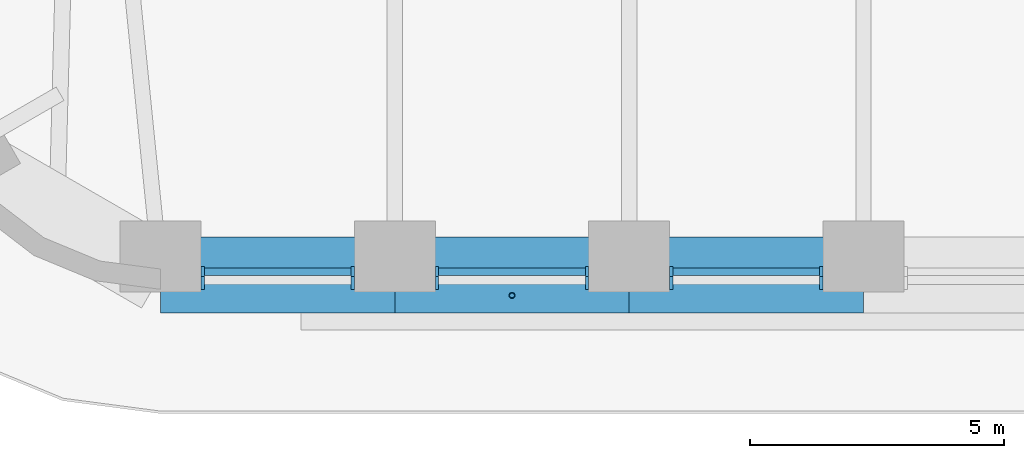
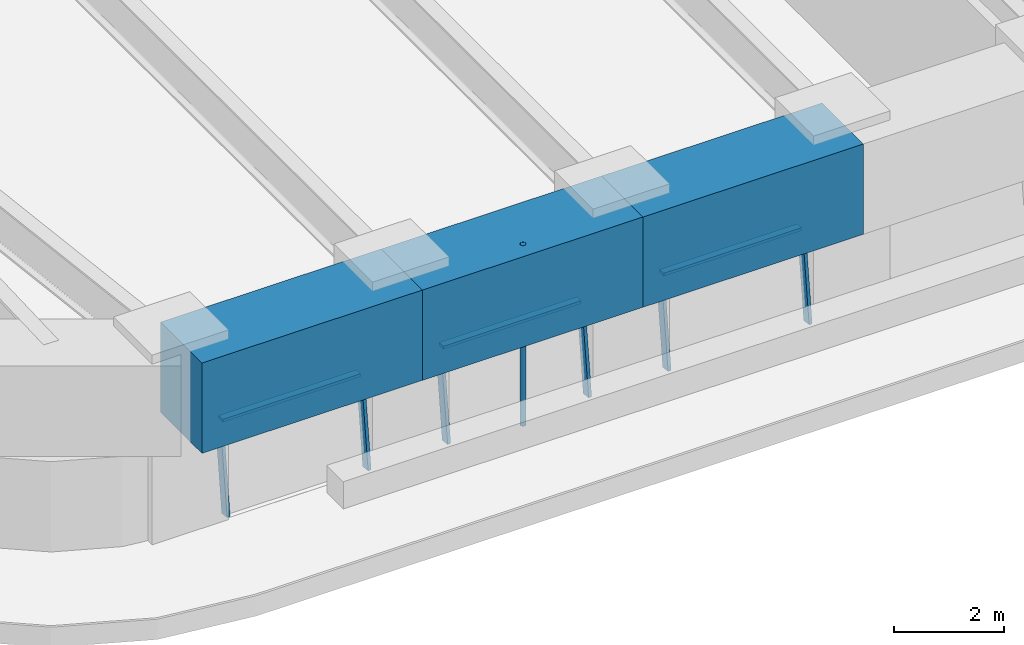
# One storey, part 2 of 20: 10 members, 3 beams, 3 elements without a shape of their own.
"""IFC4 building model written with IfcOpenShell, lengths in metres."""

from ifc_helpers import new_model, si_unit, direction, frame, origin, origin_2d, place, context, subcontext, project, spatial, rectangle, hollow_circle, extrude, material, material_profile, profile_set, type_object, element, aggregate, save


model = new_model("IFC4")

# Units and contexts
model_context = context("Model", 3, precision=1e-05, world=origin(), true_north=direction((0.0, 1.0)))
body_context = subcontext(model_context, "Body", "Model", "MODEL_VIEW")
ifc_project = project(units=[si_unit("LENGTHUNIT", "METRE"), si_unit("AREAUNIT", "SQUARE_METRE"), si_unit("VOLUMEUNIT", "CUBIC_METRE"), si_unit("PLANEANGLEUNIT", "RADIAN"), si_unit("MASSUNIT", "GRAM", prefix="KILO")], contexts=[model_context])

# Site, building, storey
site_placement = place(None, origin())
site = spatial("IfcSite", under=ifc_project, at=site_placement, CompositionType="ELEMENT")
building_placement = place(site_placement, origin())
building = spatial("IfcBuilding", under=site, at=building_placement, Name="Tarfa Lantern Tower", CompositionType="ELEMENT")
storey_placement = place(building_placement, frame((0.0, 0.0, 219.699951171875)))
storey = spatial("IfcBuildingStorey", under=building, at=storey_placement, Name="L49", CompositionType="ELEMENT", Elevation=219.699951171875)

# Curtain wall, members
ifc_material_1 = material(Name="Aluminium framed curtain wall", Category="aluminium")
curtain_wall_type = type_object("IfcCurtainWallType", Name="CW3 CANTED GLAZING HIGH ZONE 2000", PredefinedType="USERDEFINED", material=ifc_material_1)
curtain_wall_1_placement = place(storey_placement, origin())
curtain_wall_1 = element("IfcCurtainWall", 1, at=curtain_wall_1_placement, inside=storey, type_object=curtain_wall_type, Name="CW3 S L49", ObjectType="CURTAIN WALL", PredefinedType="USERDEFINED")
ifc_material_2 = material(Name="Aluminium mullion", Category="aluminium")
ifc_material_profile_1 = material_profile(ifc_material_2, rectangle(XDim=0.06494140625, YDim=0.199951171875, at=origin_2d()), Name="AL MULLION 65x200")
ifc_profile_set_1 = profile_set([ifc_material_profile_1], Name="Aluminium mullion")
member_type_1 = type_object("IfcMemberType", Name="CWM1 MULLION 65x200", PredefinedType="MULLION", material=ifc_profile_set_1)
member_1_placement = place(storey_placement, frame((-13.02392578125, -28.89990234375, 0.0), z_axis=(0.0, 0.124034734589, 0.992277876714), x_axis=(-1.0, 0.0, 0.0)))
member_1 = element("IfcMember", 2, at=member_1_placement, type_object=member_type_1, Name="CW3 mullion 1", PredefinedType="MULLION", context=body_context, shape_type="SweptSolid", body=[
    extrude(rectangle(XDim=0.06494140625, YDim=0.199951171875, at=origin_2d()), origin(), (0.0, 0.0, 1.0), 2.015625),
])
member_2_placement = place(storey_placement, frame((-10.070068359375, -28.89990234375, 0.0), z_axis=(0.0, 0.124034734589, 0.992277876714), x_axis=(-1.0, 0.0, 0.0)))
member_2 = element("IfcMember", 3, at=member_2_placement, type_object=member_type_1, Name="CW3 mullion 2", PredefinedType="MULLION", context=body_context, shape_type="SweptSolid", body=[
    extrude(rectangle(XDim=0.06494140625, YDim=0.199951171875, at=origin_2d()), origin(), (0.0, 0.0, 1.0), 2.015625),
])

curtain_wall_2_placement = place(storey_placement, origin())
curtain_wall_2 = element("IfcCurtainWall", 4, at=curtain_wall_2_placement, inside=storey, type_object=curtain_wall_type, Name="CW3 S L49", ObjectType="CURTAIN WALL", PredefinedType="USERDEFINED")
member_3_placement = place(storey_placement, frame((-8.405029296875, -28.89990234375, 0.0), z_axis=(0.0, 0.124034734589, 0.992277876714), x_axis=(-1.0, 0.0, 0.0)))
member_3 = element("IfcMember", 5, at=member_3_placement, type_object=member_type_1, Name="CW3 mullion 1", PredefinedType="MULLION", context=body_context, shape_type="SweptSolid", body=[
    extrude(rectangle(XDim=0.06494140625, YDim=0.199951171875, at=origin_2d()), origin(), (0.0, 0.0, 1.0), 2.015625),
])
member_4_placement = place(storey_placement, frame((-5.451416015625, -28.89990234375, 0.0), z_axis=(0.0, 0.124034734589, 0.992277876714), x_axis=(-1.0, 0.0, 0.0)))
member_4 = element("IfcMember", 6, at=member_4_placement, type_object=member_type_1, Name="CW3 mullion 2", PredefinedType="MULLION", context=body_context, shape_type="SweptSolid", body=[
    extrude(rectangle(XDim=0.06494140625, YDim=0.199951171875, at=origin_2d()), origin(), (0.0, 0.0, 1.0), 2.015625),
])

curtain_wall_3_placement = place(storey_placement, origin())
curtain_wall_3 = element("IfcCurtainWall", 7, at=curtain_wall_3_placement, inside=storey, type_object=curtain_wall_type, Name="CW3 S L49", ObjectType="CURTAIN WALL", PredefinedType="USERDEFINED")
member_5_placement = place(storey_placement, frame((-3.786376953125, -28.89990234375, 0.0), z_axis=(0.0, 0.124034734589, 0.992277876714), x_axis=(-1.0, 0.0, 0.0)))
member_5 = element("IfcMember", 8, at=member_5_placement, type_object=member_type_1, Name="CW3 mullion 1", PredefinedType="MULLION", context=body_context, shape_type="SweptSolid", body=[
    extrude(rectangle(XDim=0.06494140625, YDim=0.199951171875, at=origin_2d()), origin(), (0.0, 0.0, 1.0), 2.015625),
])
member_6_placement = place(storey_placement, frame((-0.83251953125, -28.89990234375, 0.0), z_axis=(0.0, 0.124034734589, 0.992277876714), x_axis=(-1.0, 0.0, 0.0)))
member_6 = element("IfcMember", 9, at=member_6_placement, type_object=member_type_1, Name="CW3 mullion 2", PredefinedType="MULLION", context=body_context, shape_type="SweptSolid", body=[
    extrude(rectangle(XDim=0.06494140625, YDim=0.199951171875, at=origin_2d()), origin(), (0.0, 0.0, 1.0), 2.015625),
])

# Member
ifc_material_3 = material(Name="Aluminium transom", Category="aluminium")
ifc_material_profile_2 = material_profile(ifc_material_3, rectangle(XDim=0.14990234375, YDim=0.06494140625, at=origin_2d()), Name="AL TRANSOM 150x65")
ifc_profile_set_2 = profile_set([ifc_material_profile_2], Name="Aluminium transom")
member_type_2 = type_object("IfcMemberType", Name="CWT1 TRANSOM 150x65", PredefinedType="USERDEFINED", material=ifc_profile_set_2)
member_7_placement = place(storey_placement, frame((-12.991455078125, -28.654052734375, 1.967529296875), z_axis=(1.0, 0.0, 0.0), x_axis=(0.0, 1.0, 0.0)))
member_7 = element("IfcMember", 10, at=member_7_placement, type_object=member_type_2, Name="CW3 transom 1.2", ObjectType="TRANSOM", PredefinedType="USERDEFINED", context=body_context, shape_type="SweptSolid", body=[
    extrude(rectangle(XDim=0.14990234375, YDim=0.06494140625, at=origin_2d()), origin(), (0.0, 0.0, 1.0), 2.888916015625),
])

aggregate(curtain_wall_1, [member_1, member_2, member_7])

member_8_placement = place(storey_placement, frame((-8.37255859375, -28.654052734375, 1.967529296875), z_axis=(1.0, 0.0, 0.0), x_axis=(0.0, 1.0, 0.0)))
member_8 = element("IfcMember", 11, at=member_8_placement, type_object=member_type_2, Name="CW3 transom 1.2", ObjectType="TRANSOM", PredefinedType="USERDEFINED", context=body_context, shape_type="SweptSolid", body=[
    extrude(rectangle(XDim=0.14990234375, YDim=0.06494140625, at=origin_2d()), origin(), (0.0, 0.0, 1.0), 2.888671875),
])

aggregate(curtain_wall_2, [member_3, member_4, member_8])

member_9_placement = place(storey_placement, frame((-3.75390625, -28.654052734375, 1.967529296875), z_axis=(1.0, 0.0, 0.0), x_axis=(0.0, 1.0, 0.0)))
member_9 = element("IfcMember", 12, at=member_9_placement, type_object=member_type_2, Name="CW3 transom 1.2", ObjectType="TRANSOM", PredefinedType="USERDEFINED", context=body_context, shape_type="SweptSolid", body=[
    extrude(rectangle(XDim=0.14990234375, YDim=0.06494140625, at=origin_2d()), origin(), (0.0, 0.0, 1.0), 2.888916015625),
])

aggregate(curtain_wall_3, [member_5, member_6, member_9])

# Beams
ifc_material_4 = material(Name="Concrete C80/95", Category="concrete")
ifc_material_profile_3 = material_profile(ifc_material_4, rectangle(XDim=1.5, YDim=2.0, at=origin_2d()), Name="RC 1500x2000")
ifc_profile_set_3 = profile_set([ifc_material_profile_3], Name="Concrete C80/95")
beam_type = type_object("IfcBeamType", Name="RB3 RC 1500x2000", PredefinedType="BEAM", material=ifc_profile_set_3)
beam_1_placement = place(storey_placement, frame((-13.8564453125, -28.719970703125, 3.0), z_axis=(1.0, 0.0, 0.0), x_axis=(0.0, 1.0, 0.0)))
element("IfcBeam", 13, at=beam_1_placement, inside=storey, type_object=beam_type, Name="Edge beam S0", PredefinedType="BEAM", context=body_context, shape_type="SweptSolid", body=[
    extrude(rectangle(XDim=1.5, YDim=2.0, at=origin_2d()), origin(), (0.0, 0.0, 1.0), 4.618896484375),
])
beam_2_placement = place(storey_placement, frame((-9.237548828125, -28.719970703125, 3.0), z_axis=(1.0, 0.0, 0.0), x_axis=(0.0, 1.0, 0.0)))
element("IfcBeam", 14, at=beam_2_placement, inside=storey, type_object=beam_type, Name="Edge beam S1", PredefinedType="BEAM", context=body_context, shape_type="SweptSolid", body=[
    extrude(rectangle(XDim=1.5, YDim=2.0, at=origin_2d()), origin(), (0.0, 0.0, 1.0), 4.61865234375),
])
beam_3_placement = place(storey_placement, frame((-4.618896484375, -28.719970703125, 3.0), z_axis=(1.0, 0.0, 0.0), x_axis=(0.0, 1.0, 0.0)))
element("IfcBeam", 15, at=beam_3_placement, inside=storey, type_object=beam_type, Name="Edge beam S2", PredefinedType="BEAM", context=body_context, shape_type="SweptSolid", body=[
    extrude(rectangle(XDim=1.5, YDim=2.0, at=origin_2d()), origin(), (0.0, 0.0, 1.0), 4.618896484375),
])

# Member
ifc_material_5 = material(Name="Steel S355", Category="steel")
ifc_material_profile_4 = material_profile(ifc_material_5, hollow_circle(Radius=0.05712890625, WallThickness=0.00634765625, at=origin_2d()), Name="CHS114.3x6.3")
ifc_profile_set_4 = profile_set([ifc_material_profile_4], Name="Steel S355")
member_type_3 = type_object("IfcMemberType", Name="TR1 GREEN WALL TRELLIS CHS114.3x6.3", PredefinedType="USERDEFINED", material=ifc_profile_set_4)
member_10_placement = place(storey_placement, frame((-6.92822265625, -29.1201171875, 0.0), z_axis=(0.0, 0.0, 1.0), x_axis=(1.0, 0.0, 0.0)))
element("IfcMember", 16, at=member_10_placement, inside=storey, type_object=member_type_3, Name="Trellis post S 1", ObjectType="TRELLIS", PredefinedType="USERDEFINED", context=body_context, shape_type="SweptSolid", body=[
    extrude(hollow_circle(Radius=0.05712890625, WallThickness=0.00634765625, at=origin_2d()), origin(), (0.0, 0.0, 1.0), 4.0),
])

save(model, "model.ifc")
